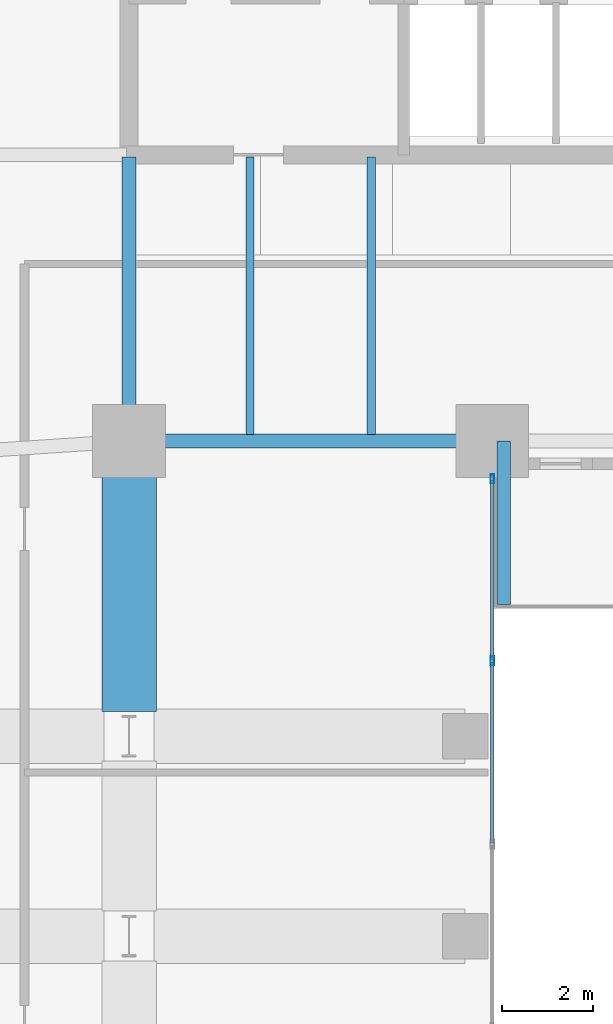
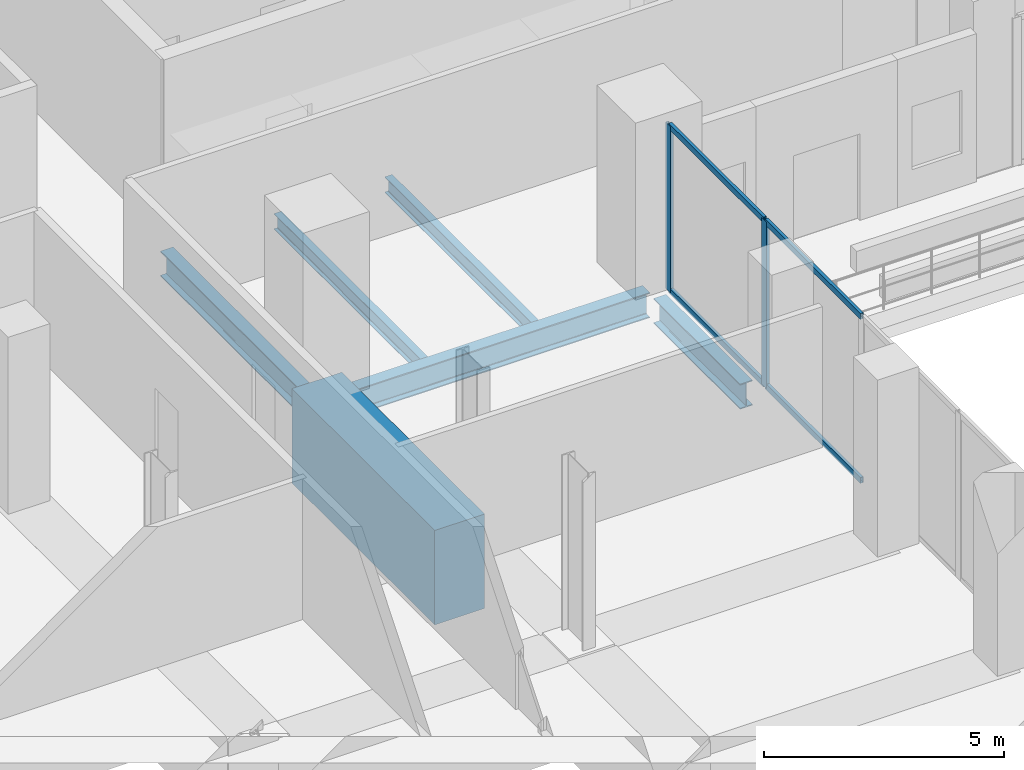
# One storey, part 9 of 24: 6 beams, 6 members, 1 element without a shape of its own.
"""IFC4 building model written with IfcOpenShell, lengths in metres."""

from ifc_helpers import new_model, si_unit, direction, frame, origin, origin_2d, place, context, subcontext, project, spatial, rectangle, hollow_rectangle, i_section, extrude, material, layer, layer_set, material_profile, profile_set, type_object, element, aggregate, save


model = new_model("IFC4")

# Units and contexts
model_context = context("Model", 3, precision=1e-05, world=origin(), true_north=direction((0.0, 1.0)))
body_context = subcontext(model_context, "Body", "Model", "MODEL_VIEW")
ifc_project = project(units=[si_unit("LENGTHUNIT", "METRE"), si_unit("AREAUNIT", "SQUARE_METRE"), si_unit("VOLUMEUNIT", "CUBIC_METRE"), si_unit("PLANEANGLEUNIT", "RADIAN"), si_unit("MASSUNIT", "GRAM", prefix="KILO")], contexts=[model_context])

# Site, building, storey
site_placement = place(None, origin())
site = spatial("IfcSite", under=ifc_project, at=site_placement, CompositionType="ELEMENT")
building_placement = place(site_placement, origin())
building = spatial("IfcBuilding", under=site, at=building_placement, Name="Catumbela Crestline Tower", CompositionType="ELEMENT")
storey_placement = place(building_placement, frame((0.0, 0.0, 21.3)))
storey = spatial("IfcBuildingStorey", under=building, at=storey_placement, Name="L04", CompositionType="ELEMENT", Elevation=21.3)

# Beams
ifc_material_1 = material(Name="Structural steel S355J2", Category="steel")
ifc_material_profile_1 = material_profile(ifc_material_1, i_section(OverallWidth=0.3, OverallDepth=0.64, WebThickness=0.0135, FlangeThickness=0.026, FilletRadius=0.027, at=origin_2d()), Name="HEA 650")
ifc_profile_set_1 = profile_set([ifc_material_profile_1], Name="Structural steel S355J2")
beam_type_1 = type_object("IfcBeamType", Name="BG-HEA650", PredefinedType="BEAM", material=ifc_profile_set_1)
beam_1_placement = place(storey_placement, frame((24.25, 24.5, -1.07), z_axis=(0.0, -1.0, 0.0), x_axis=(1.0, 0.0, 0.0)))
element("IfcBeam", 1, at=beam_1_placement, inside=storey, type_object=beam_type_1, Name="L04 Terrace Cantilever Lookout Beam 1", PredefinedType="BEAM", context=body_context, shape_type="SweptSolid", body=[
    extrude(i_section(OverallWidth=0.3, OverallDepth=0.64, WebThickness=0.0135, FlangeThickness=0.026, FilletRadius=0.027, at=origin_2d()), origin(), (0.0, 0.0, 1.0), 3.6),
])
beam_2_placement = place(storey_placement, frame((16.08, 24.5, -0.77), z_axis=(1.0, 0.0, 0.0), x_axis=(0.0, 1.0, 0.0)))
element("IfcBeam", 2, at=beam_2_placement, inside=storey, type_object=beam_type_1, Name="L04 Beam BM-L04-S04", PredefinedType="BEAM", context=body_context, shape_type="SweptSolid", body=[
    extrude(i_section(OverallWidth=0.3, OverallDepth=0.64, WebThickness=0.0135, FlangeThickness=0.026, FilletRadius=0.027, at=origin_2d()), origin(), (0.0, 0.0, 1.0), 7.84),
])
beam_3_placement = place(storey_placement, frame((16.0, 24.58, -0.77), z_axis=(0.0, 1.0, 0.0), x_axis=(-1.0, 0.0, 0.0)))
element("IfcBeam", 3, at=beam_3_placement, inside=storey, type_object=beam_type_1, Name="L04 Beam BM-L04-SNS30", PredefinedType="BEAM", context=body_context, shape_type="SweptSolid", body=[
    extrude(i_section(OverallWidth=0.3, OverallDepth=0.64, WebThickness=0.0135, FlangeThickness=0.026, FilletRadius=0.027, at=origin_2d()), origin(), (0.0, 0.0, 1.0), 6.17),
])
ifc_material_2 = material(Name="Concrete C60/75", Category="concrete")
ifc_material_profile_2 = material_profile(ifc_material_2, rectangle(XDim=1.2, YDim=2.4, at=origin_2d()), Name="RC 1200x2400")
ifc_profile_set_2 = profile_set([ifc_material_profile_2], Name="Concrete C60/75")
beam_type_2 = type_object("IfcBeamType", Name="TG-2400", PredefinedType="BEAM", material=ifc_profile_set_2)
beam_4_placement = place(storey_placement, frame((16.0, 18.55, -1.2), z_axis=(0.0, 1.0, 0.0), x_axis=(-1.0, 0.0, 0.0)))
element("IfcBeam", 4, at=beam_4_placement, inside=storey, type_object=beam_type_2, Name="L04 Transfer Girder TG-L04-NS6", PredefinedType="BEAM", context=body_context, shape_type="SweptSolid", body=[
    extrude(rectangle(XDim=1.2, YDim=2.4, at=origin_2d()), origin(), (0.0, 0.0, 1.0), 5.95),
])
ifc_material_profile_3 = material_profile(ifc_material_1, i_section(OverallWidth=0.18, OverallDepth=0.4, WebThickness=0.0086, FlangeThickness=0.0135, FilletRadius=0.021, at=origin_2d()), Name="IPE 400")
ifc_profile_set_3 = profile_set([ifc_material_profile_3], Name="Structural steel S355J2")
beam_type_3 = type_object("IfcBeamType", Name="BJ-IPE400", PredefinedType="JOIST", material=ifc_profile_set_3)
for number, where, z_axis, x_axis, name in (
    (5, (18.667, 24.647, -0.65), (0.0, 1.0, 0.0), (-1.0, 0.0, 0.0), "L04 Joist JS-L04-SP37"),
    (6, (21.333, 24.647, -0.65), (0.0, 1.0, 0.0), (-1.0, 0.0, 0.0), "L04 Joist JS-L04-SP38"),
):
    element("IfcBeam", number, at=place(storey_placement, frame(where, z_axis=z_axis, x_axis=x_axis)), inside=storey, type_object=beam_type_3, Name=name, PredefinedType="JOIST", context=body_context, shape_type="SweptSolid", body=[
        extrude(i_section(OverallWidth=0.18, OverallDepth=0.4, WebThickness=0.0086, FlangeThickness=0.0135, FilletRadius=0.021, at=origin_2d()), origin(), (0.0, 0.0, 1.0), 6.103),
    ])

# Curtain wall, members
ifc_material_3 = material(Name="Aluminium alloy AW-6060-T66", Category="aluminium")
ifc_layer = layer(ifc_material_3, 0.18, Name="Aluminium alloy AW-6060-T66")
ifc_layer_set = layer_set([ifc_layer], Name="Aluminium alloy AW-6060-T66")
curtain_wall_type = type_object("IfcCurtainWallType", Name="CWS-POD", PredefinedType="USERDEFINED", material=ifc_layer_set)
curtain_wall_placement = place(storey_placement, origin())
curtain_wall = element("IfcCurtainWall", 7, at=curtain_wall_placement, inside=storey, type_object=curtain_wall_type, Name="L04 Stick Curtain Wall CW-L04-E2S1", ObjectType="STICK", PredefinedType="USERDEFINED")
ifc_material_profile_4 = material_profile(ifc_material_3, hollow_rectangle(XDim=0.075, YDim=0.2, WallThickness=0.005, at=origin_2d()), Name="ALU 200x75x5")
ifc_profile_set_4 = profile_set([ifc_material_profile_4], Name="Aluminium alloy AW-6060-T66")
member_type_1 = type_object("IfcMemberType", Name="MUL-200X75", PredefinedType="MULLION", material=ifc_profile_set_4)
member_1_placement = place(storey_placement, frame((24.0, 19.66, 0.0), z_axis=(0.0, 0.0, 1.0), x_axis=(-1.0, 0.0, 0.0)))
member_1 = element("IfcMember", 8, at=member_1_placement, type_object=member_type_1, Name="CWS-POD mullion 5", PredefinedType="MULLION", context=body_context, shape_type="SweptSolid", body=[
    extrude(hollow_rectangle(XDim=0.075, YDim=0.2, WallThickness=0.005, at=origin_2d()), origin(), (0.0, 0.0, 1.0), 4.23),
])
member_2_placement = place(storey_placement, frame((24.0, 23.6675, 0.0), z_axis=(0.0, 0.0, 1.0), x_axis=(-1.0, 0.0, 0.0)))
member_2 = element("IfcMember", 9, at=member_2_placement, type_object=member_type_1, Name="CWS-POD mullion 6", PredefinedType="MULLION", context=body_context, shape_type="SweptSolid", body=[
    extrude(hollow_rectangle(XDim=0.075, YDim=0.2, WallThickness=0.005, at=origin_2d()), origin(), (0.0, 0.0, 1.0), 4.23),
])
ifc_material_profile_5 = material_profile(ifc_material_3, hollow_rectangle(XDim=0.075, YDim=0.15, WallThickness=0.0045, at=origin_2d()), Name="ALU 150x75x4.5")
ifc_profile_set_5 = profile_set([ifc_material_profile_5], Name="Aluminium alloy AW-6060-T66")
member_type_2 = type_object("IfcMemberType", Name="TRN-150X75", PredefinedType="USERDEFINED", material=ifc_profile_set_5)
member_3_placement = place(storey_placement, frame((24.0, 15.6525, 0.03), z_axis=(0.0, 1.0, 0.0), x_axis=(-1.0, 0.0, 0.0)))
member_3 = element("IfcMember", 10, at=member_3_placement, type_object=member_type_2, Name="CWS-POD transom 4.1", ObjectType="TRANSOM", PredefinedType="USERDEFINED", context=body_context, shape_type="SweptSolid", body=[
    extrude(hollow_rectangle(XDim=0.075, YDim=0.15, WallThickness=0.0045, at=origin_2d()), origin(), (0.0, 0.0, 1.0), 3.975),
])
member_4_placement = place(storey_placement, frame((24.0, 15.6525, 4.2), z_axis=(0.0, 1.0, 0.0), x_axis=(-1.0, 0.0, 0.0)))
member_4 = element("IfcMember", 11, at=member_4_placement, type_object=member_type_2, Name="CWS-POD transom 4.2", ObjectType="TRANSOM", PredefinedType="USERDEFINED", context=body_context, shape_type="SweptSolid", body=[
    extrude(hollow_rectangle(XDim=0.075, YDim=0.15, WallThickness=0.0045, at=origin_2d()), origin(), (0.0, 0.0, 1.0), 3.975),
])
member_5_placement = place(storey_placement, frame((24.0, 19.6925, 0.03), z_axis=(0.0, 1.0, 0.0), x_axis=(-1.0, 0.0, 0.0)))
member_5 = element("IfcMember", 12, at=member_5_placement, type_object=member_type_2, Name="CWS-POD transom 5.1", ObjectType="TRANSOM", PredefinedType="USERDEFINED", context=body_context, shape_type="SweptSolid", body=[
    extrude(hollow_rectangle(XDim=0.075, YDim=0.15, WallThickness=0.0045, at=origin_2d()), origin(), (0.0, 0.0, 1.0), 3.9425),
])
member_6_placement = place(storey_placement, frame((24.0, 19.6925, 4.2), z_axis=(0.0, 1.0, 0.0), x_axis=(-1.0, 0.0, 0.0)))
member_6 = element("IfcMember", 13, at=member_6_placement, type_object=member_type_2, Name="CWS-POD transom 5.2", ObjectType="TRANSOM", PredefinedType="USERDEFINED", context=body_context, shape_type="SweptSolid", body=[
    extrude(hollow_rectangle(XDim=0.075, YDim=0.15, WallThickness=0.0045, at=origin_2d()), origin(), (0.0, 0.0, 1.0), 3.9425),
])
aggregate(curtain_wall, [member_1, member_2, member_3, member_4, member_5, member_6])

save(model, "model.ifc")
